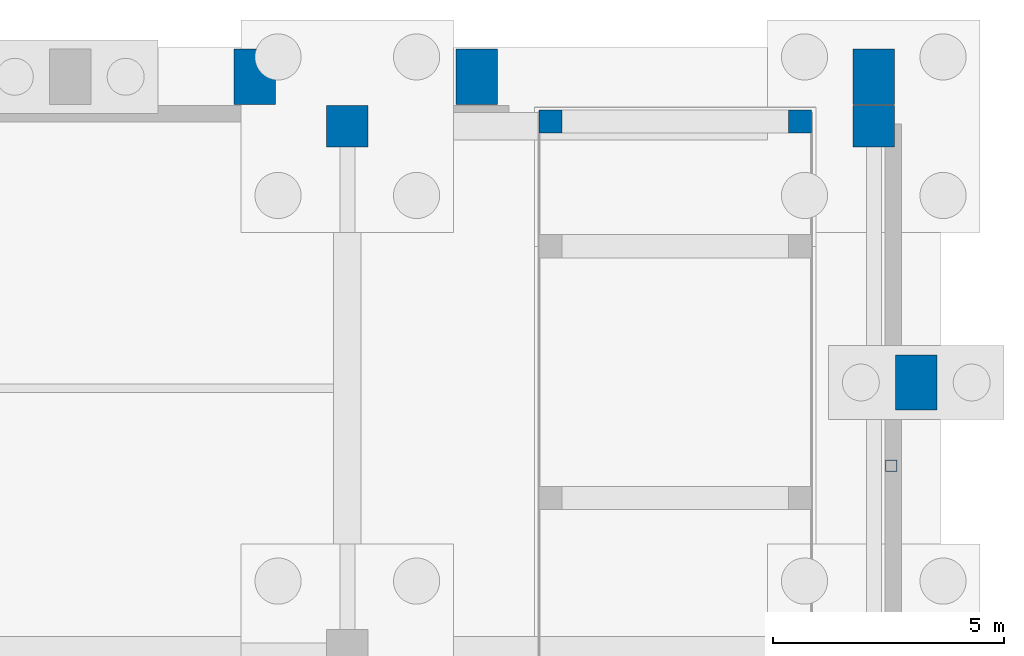
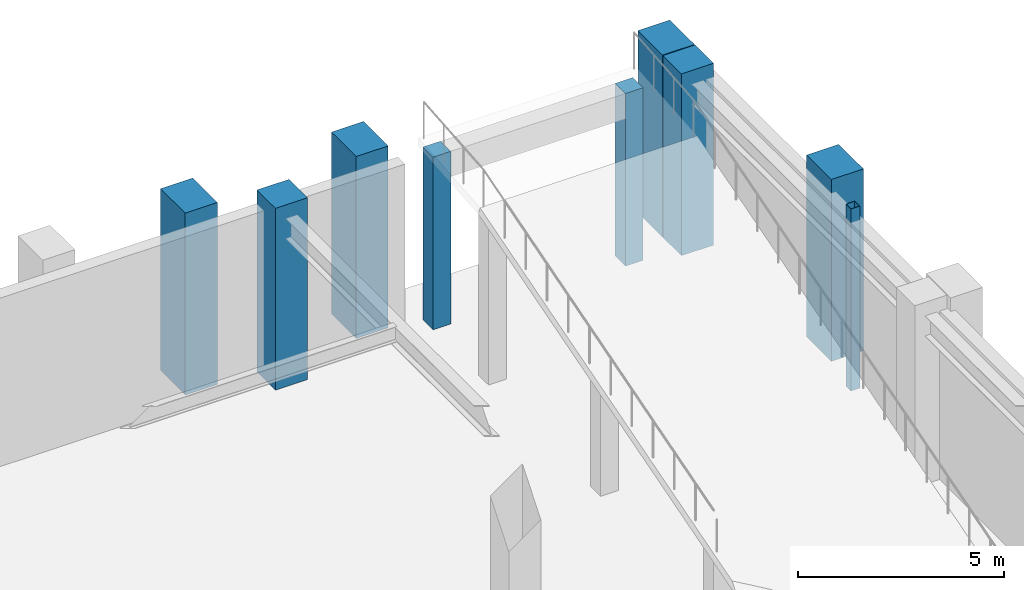
# One storey, part 10 of 27: 9 columns.
"""IFC4 building model written with IfcOpenShell, lengths in metres."""

from ifc_helpers import new_model, si_unit, derived_unit, direction, frame, origin, origin_2d, place, context, subcontext, project, spatial, rectangle, hollow_rectangle, extrude, material, material_profile, profile_set, type_object, element, save


model = new_model("IFC4")

# Units and contexts
model_context = context("Model", 3, precision=1e-05, world=origin(), true_north=direction((0.0, 1.0)))
body_context = subcontext(model_context, "Body", "Model", "MODEL_VIEW")
ifc_project = project(units=[si_unit("LENGTHUNIT", "METRE"), si_unit("AREAUNIT", "SQUARE_METRE"), si_unit("VOLUMEUNIT", "CUBIC_METRE"), si_unit("PLANEANGLEUNIT", "RADIAN"), si_unit("MASSUNIT", "GRAM", prefix="KILO"), derived_unit("THERMALTRANSMITTANCEUNIT", [(si_unit("MASSUNIT", "GRAM", prefix="KILO"), 1), (si_unit("TIMEUNIT", "SECOND"), -3), (si_unit("THERMODYNAMICTEMPERATUREUNIT", "KELVIN"), -1)])], contexts=[model_context])

# Site, building, storey
site_placement = place(None, origin())
site = spatial("IfcSite", under=ifc_project, at=site_placement, CompositionType="ELEMENT")
building_placement = place(site_placement, origin())
building = spatial("IfcBuilding", under=site, at=building_placement, Name="Valcora Ridge Arena", CompositionType="ELEMENT")
storey_placement = place(building_placement, frame((0.0, 0.0, -5.39990234375)))
storey = spatial("IfcBuildingStorey", under=building, at=storey_placement, Name="B1", CompositionType="ELEMENT", Elevation=-5.39990234375)

# Columns
ifc_material_1 = material(Name="Bush-hammered Andean travertine architectural concrete C45/55", Category="masonry")
ifc_material_profile_1 = material_profile(ifc_material_1, rectangle(XDim=0.89990234375, YDim=1.199951171875, at=origin_2d()), Name="RC 900x1200")
ifc_profile_set_1 = profile_set([ifc_material_profile_1], Name="Bush-hammered Andean travertine architectural concrete C45/55")
column_type_1 = type_object("IfcColumnType", Name="TY-COLUMN-C-BUTT-1200", PredefinedType="PILASTER", material=ifc_profile_set_1)
for number, where, z_axis, x_axis, name in (
    (1, (182.800048828125, 132.6201171875, 0.0), (0.0, 0.0, 1.0), (1.0, 0.0, 0.0), "C-BUTT-1200 COL-C-BUTT-1200-0187"),
    (2, (191.39990234375, 132.6201171875, 0.0), (0.0, 0.0, 1.0), (1.0, 0.0, 0.0), "C-BUTT-1200 COL-C-BUTT-1200-0191"),
    (3, (192.320068359375, 126.0, 0.0), (0.0, 0.0, 1.0), (1.0, 0.0, 0.0), "C-BUTT-1200 COL-C-BUTT-1200-0223"),
    (4, (178.0, 132.6201171875, 0.0), (0.0, 0.0, 1.0), (1.0, 0.0, 0.0), "C-BUTT-1200 COL-C-BUTT-1200-0323"),
):
    element("IfcColumn", number, at=place(storey_placement, frame(where, z_axis=z_axis, x_axis=x_axis)), inside=storey, type_object=column_type_1, Name=name, PredefinedType="PILASTER", context=body_context, shape_type="SweptSolid", body=[
        extrude(rectangle(XDim=0.89990234375, YDim=1.199951171875, at=origin_2d()), origin(), (0.0, 0.0, 1.0), 5.39990234375),
    ])
ifc_material_2 = material(Name="Steel ASTM A500 Grade C", Category="steel")
ifc_material_profile_2 = material_profile(ifc_material_2, hollow_rectangle(XDim=0.25, YDim=0.25, WallThickness=0.012451171875, at=origin_2d()), Name="HSS250X250X12")
ifc_profile_set_2 = profile_set([ifc_material_profile_2], Name="Steel ASTM A500 Grade C")
column_type_2 = type_object("IfcColumnType", Name="TY-COLUMN-C-CBF250", PredefinedType="COLUMN", material=ifc_profile_set_2)
column_placement = place(storey_placement, frame((191.780029296875, 124.199951171875, 0.0), z_axis=(0.0, 0.0, 1.0), x_axis=(1.0, 0.0, 0.0)))
element("IfcColumn", 5, at=column_placement, inside=storey, type_object=column_type_2, Name="C-CBF250 COL-CBF-C-CBF250-0017", PredefinedType="COLUMN", context=body_context, shape_type="SweptSolid", body=[
    extrude(hollow_rectangle(XDim=0.25, YDim=0.25, WallThickness=0.012451171875, at=origin_2d()), origin(), (0.0, 0.0, 1.0), 5.39990234375),
])
ifc_material_3 = material(Name="Concrete C40/50", Category="concrete")
ifc_material_profile_3 = material_profile(ifc_material_3, rectangle(XDim=0.89990234375, YDim=0.89990234375, at=origin_2d()), Name="RC 900x900")
ifc_profile_set_3 = profile_set([ifc_material_profile_3], Name="Concrete C40/50")
column_type_3 = type_object("IfcColumnType", Name="TY-COLUMN-C-RC900B", PredefinedType="COLUMN", material=ifc_profile_set_3)
for number, where, z_axis, x_axis, name in (
    (6, (180.0, 131.550048828125, 0.0), (0.0, 0.0, 1.0), (1.0, 0.0, 0.0), "C-RC900B COL-C-RC900B-0124"),
    (7, (191.39990234375, 131.550048828125, 0.0), (0.0, 0.0, 1.0), (1.0, 0.0, 0.0), "C-RC900B COL-C-RC900B-0133"),
):
    element("IfcColumn", number, at=place(storey_placement, frame(where, z_axis=z_axis, x_axis=x_axis)), inside=storey, type_object=column_type_3, Name=name, PredefinedType="COLUMN", context=body_context, shape_type="SweptSolid", body=[
        extrude(rectangle(XDim=0.89990234375, YDim=0.89990234375, at=origin_2d()), origin(), (0.0, 0.0, 1.0), 5.39990234375),
    ])
ifc_material_profile_4 = material_profile(ifc_material_3, rectangle(XDim=0.5, YDim=0.5, at=origin_2d()), Name="RC 500x500")
ifc_profile_set_4 = profile_set([ifc_material_profile_4], Name="Concrete C40/50")
column_type_4 = type_object("IfcColumnType", Name="TY-COLUMN-C-RMP500", PredefinedType="COLUMN", material=ifc_profile_set_4)
for number, where, z_axis, x_axis, name in (
    (8, (184.39990234375, 131.64990234375, 0.0), (0.0, 0.0, 1.0), (1.0, 0.0, 0.0), "C-RMP500 COL-RP-C-RMP500-0007"),
    (9, (189.800048828125, 131.64990234375, 0.0), (0.0, 0.0, 1.0), (1.0, 0.0, 0.0), "C-RMP500 COL-RP-C-RMP500-0008"),
):
    element("IfcColumn", number, at=place(storey_placement, frame(where, z_axis=z_axis, x_axis=x_axis)), inside=storey, type_object=column_type_4, Name=name, PredefinedType="COLUMN", context=body_context, shape_type="SweptSolid", body=[
        extrude(rectangle(XDim=0.5, YDim=0.5, at=origin_2d()), origin(), (0.0, 0.0, 1.0), 5.125),
    ])

save(model, "model.ifc")
